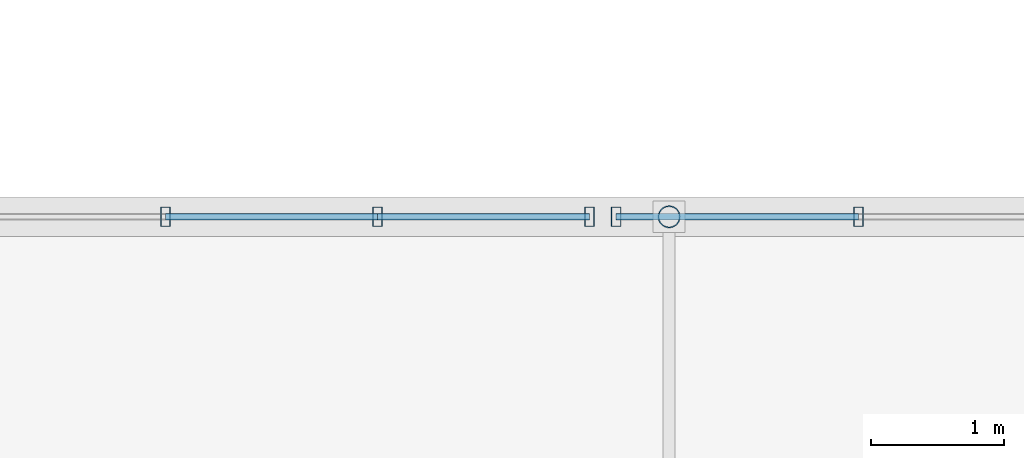
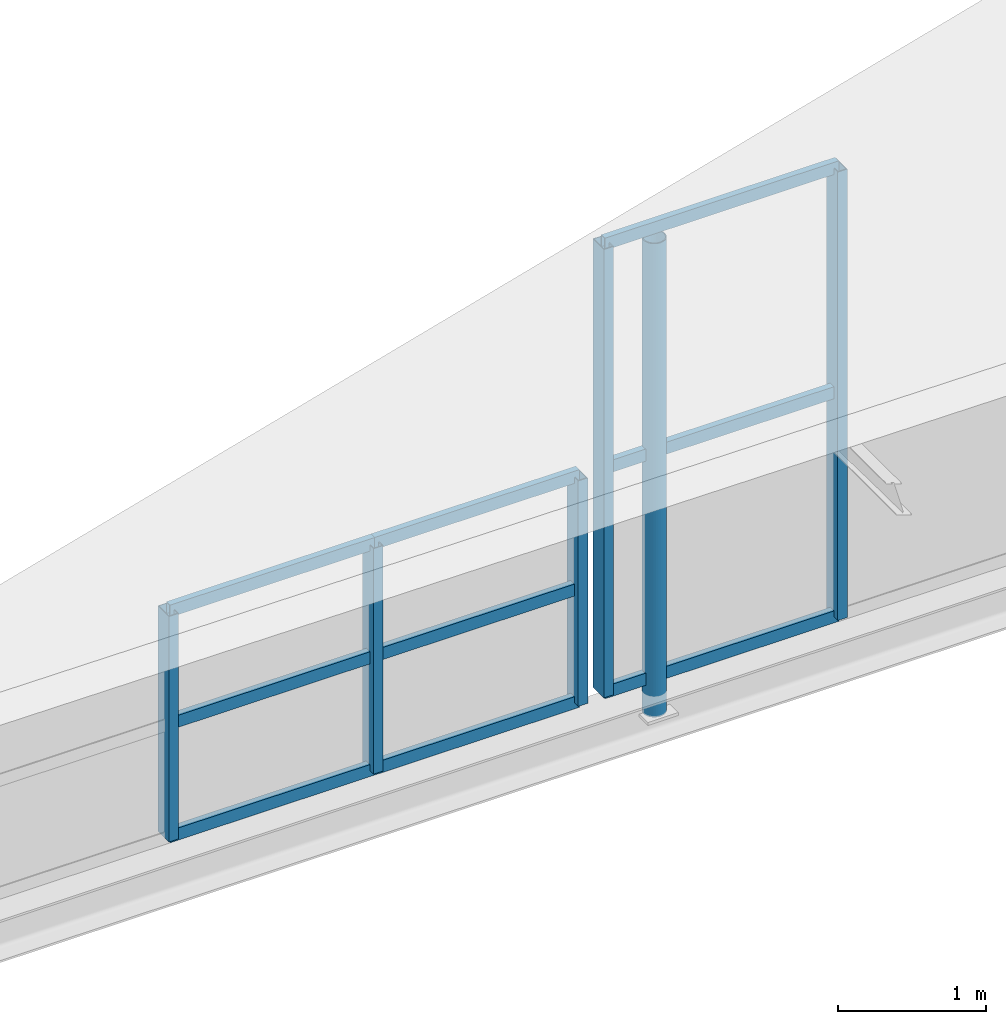
# One storey, part 28 of 49: 15 members, 2 elements without a shape of their own.
"""IFC4 building model written with IfcOpenShell, lengths in metres."""

from ifc_helpers import new_model, si_unit, direction, frame, origin, origin_2d, place, context, subcontext, project, spatial, hollow_rectangle, hollow_circle, extrude, material, material_profile, profile_set, type_object, element, aggregate, save


model = new_model("IFC4")

# Units and contexts
model_context = context("Model", 3, precision=1e-05, world=origin(), true_north=direction((0.0, 1.0)))
body_context = subcontext(model_context, "Body", "Model", "MODEL_VIEW")
ifc_project = project(units=[si_unit("LENGTHUNIT", "METRE"), si_unit("AREAUNIT", "SQUARE_METRE"), si_unit("VOLUMEUNIT", "CUBIC_METRE"), si_unit("PLANEANGLEUNIT", "RADIAN"), si_unit("MASSUNIT", "GRAM", prefix="KILO")], contexts=[model_context])

# Site, building, storey
site_placement = place(None, origin())
site = spatial("IfcSite", under=ifc_project, at=site_placement, CompositionType="ELEMENT")
building_placement = place(site_placement, origin())
building = spatial("IfcBuilding", under=site, at=building_placement, Name="Sundkrona Museum", CompositionType="ELEMENT")
storey_placement = place(building_placement, frame((0.0, 0.0, 26.0)))
storey = spatial("IfcBuildingStorey", under=building, at=storey_placement, Name="L05", CompositionType="ELEMENT", Elevation=26.0)

# Curtain wall, members
ifc_material_1 = material(Name="Unitised Aluminium-Steel and Ceramic-Clad Curtain Walling", Category="steel")
curtain_wall_type = type_object("IfcCurtainWallType", Name="CW-SW-240x13", PredefinedType="NOTDEFINED", material=ifc_material_1)
curtain_wall_1_placement = place(storey_placement, origin())
curtain_wall_1 = element("IfcCurtainWall", 1, at=curtain_wall_1_placement, inside=storey, type_object=curtain_wall_type, Name="Atrium N Glazed Gable Tympanum 2", PredefinedType="NOTDEFINED")
ifc_material_2 = material(Name="Aluminium EN AW-6060 T66", Category="aluminium")
ifc_material_profile_1 = material_profile(ifc_material_2, hollow_rectangle(XDim=0.074951171875, YDim=0.14990234375, WallThickness=0.00634765625, at=origin_2d()), Name="RHS 150x75x6.3")
ifc_profile_set_1 = profile_set([ifc_material_profile_1], Name="Aluminium EN AW-6060 T66")
member_type_1 = type_object("IfcMemberType", Name="ML-150", PredefinedType="MULLION", material=ifc_profile_set_1)
member_1_placement = place(storey_placement, frame((90.199951171875, 40.0, -0.10009765625), z_axis=(0.0, 0.0, 1.0), x_axis=(1.0, 0.0, 0.0)))
member_1 = element("IfcMember", 2, at=member_1_placement, type_object=member_type_1, Name="CW-ATR-GBL-N2 Mullion 03", PredefinedType="MULLION", context=body_context, shape_type="SweptSolid", body=[
    extrude(hollow_rectangle(XDim=0.074951171875, YDim=0.14990234375, WallThickness=0.00634765625, at=origin_2d()), origin(), (0.0, 0.0, 1.0), 1.864013671875),
])
member_2_placement = place(storey_placement, frame((91.800048828125, 40.0, -0.10009765625), z_axis=(0.0, 0.0, 1.0), x_axis=(1.0, 0.0, 0.0)))
member_2 = element("IfcMember", 3, at=member_2_placement, type_object=member_type_1, Name="CW-ATR-GBL-N2 Mullion 04", PredefinedType="MULLION", context=body_context, shape_type="SweptSolid", body=[
    extrude(hollow_rectangle(XDim=0.074951171875, YDim=0.14990234375, WallThickness=0.00634765625, at=origin_2d()), origin(), (0.0, 0.0, 1.0), 1.864013671875),
])
member_3_placement = place(storey_placement, frame((93.39990234375, 40.0, -0.10009765625), z_axis=(0.0, 0.0, 1.0), x_axis=(1.0, 0.0, 0.0)))
member_3 = element("IfcMember", 4, at=member_3_placement, type_object=member_type_1, Name="CW-ATR-GBL-N2 Mullion 05", PredefinedType="MULLION", context=body_context, shape_type="SweptSolid", body=[
    extrude(hollow_rectangle(XDim=0.074951171875, YDim=0.14990234375, WallThickness=0.00634765625, at=origin_2d()), origin(), (0.0, 0.0, 1.0), 1.864013671875),
])

curtain_wall_2_placement = place(storey_placement, origin())
curtain_wall_2 = element("IfcCurtainWall", 5, at=curtain_wall_2_placement, inside=storey, type_object=curtain_wall_type, Name="Atrium N Glazed Gable Tympanum 3", PredefinedType="NOTDEFINED")
member_4_placement = place(storey_placement, frame((93.60009765625, 40.0, -0.10009765625), z_axis=(0.0, 0.0, 1.0), x_axis=(1.0, 0.0, 0.0)))
member_4 = element("IfcMember", 6, at=member_4_placement, type_object=member_type_1, Name="CW-ATR-GBL-N3 Mullion 01", PredefinedType="MULLION", context=body_context, shape_type="SweptSolid", body=[
    extrude(hollow_rectangle(XDim=0.074951171875, YDim=0.14990234375, WallThickness=0.00634765625, at=origin_2d()), origin(), (0.0, 0.0, 1.0), 3.70703125),
])
member_5_placement = place(storey_placement, frame((95.4287109375, 40.0, -0.10009765625), z_axis=(0.0, 0.0, 1.0), x_axis=(1.0, 0.0, 0.0)))
member_5 = element("IfcMember", 7, at=member_5_placement, type_object=member_type_1, Name="CW-ATR-GBL-N3 Mullion 02", PredefinedType="MULLION", context=body_context, shape_type="SweptSolid", body=[
    extrude(hollow_rectangle(XDim=0.074951171875, YDim=0.14990234375, WallThickness=0.00634765625, at=origin_2d()), origin(), (0.0, 0.0, 1.0), 3.70703125),
])

# Member
ifc_material_3 = material(Name="Steel S355J2", Category="steel")
ifc_material_profile_2 = material_profile(ifc_material_3, hollow_circle(Radius=0.084228515625, WallThickness=0.008056640625, at=origin_2d()), Name="CHS 168.3x8.0")
ifc_profile_set_2 = profile_set([ifc_material_profile_2], Name="Steel S355J2")
member_type_2 = type_object("IfcMemberType", Name="ST-CHS168", PredefinedType="STRUT", material=ifc_profile_set_2)
member_6_placement = place(storey_placement, frame((94.0, 40.0, -0.39990234375), z_axis=(0.0, 0.0, 1.0), x_axis=(1.0, 0.0, 0.0)))
element("IfcMember", 8, at=member_6_placement, inside=storey, type_object=member_type_2, Name="RFS-1 Atrium Truss 6 Web Strut 94", PredefinedType="STRUT", context=body_context, shape_type="SweptSolid", body=[
    extrude(hollow_circle(Radius=0.084228515625, WallThickness=0.008056640625, at=origin_2d()), origin(), (0.0, 0.0, 1.0), 3.915771484375),
])

ifc_material_profile_3 = material_profile(ifc_material_2, hollow_rectangle(XDim=0.050048828125, YDim=0.10009765625, WallThickness=0.0048828125, at=origin_2d()), Name="RHS 100x50x5.0")
ifc_profile_set_3 = profile_set([ifc_material_profile_3], Name="Aluminium EN AW-6060 T66")
member_type_3 = type_object("IfcMemberType", Name="TR-100", PredefinedType="USERDEFINED", material=ifc_profile_set_3)
member_7_placement = place(storey_placement, frame((90.199951171875, 40.0, -0.10009765625), z_axis=(1.0, 0.0, 0.0), x_axis=(0.0, 1.0, 0.0)))
member_7 = element("IfcMember", 9, at=member_7_placement, type_object=member_type_3, Name="CW-ATR-GBL-N2 Transom 07", ObjectType="TRANSOM", PredefinedType="USERDEFINED", context=body_context, shape_type="SweptSolid", body=[
    extrude(hollow_rectangle(XDim=0.050048828125, YDim=0.10009765625, WallThickness=0.0048828125, at=origin_2d()), origin(), (0.0, 0.0, 1.0), 1.60009765625),
])

member_8_placement = place(storey_placement, frame((90.199951171875, 40.0, 0.83203125), z_axis=(1.0, 0.0, 0.0), x_axis=(0.0, 1.0, 0.0)))
member_8 = element("IfcMember", 10, at=member_8_placement, type_object=member_type_3, Name="CW-ATR-GBL-N2 Transom 08", ObjectType="TRANSOM", PredefinedType="USERDEFINED", context=body_context, shape_type="SweptSolid", body=[
    extrude(hollow_rectangle(XDim=0.050048828125, YDim=0.10009765625, WallThickness=0.0048828125, at=origin_2d()), origin(), (0.0, 0.0, 1.0), 1.60009765625),
])

member_9_placement = place(storey_placement, frame((90.199951171875, 40.0, 1.763916015625), z_axis=(1.0, 0.0, 0.0), x_axis=(0.0, 1.0, 0.0)))
member_9 = element("IfcMember", 11, at=member_9_placement, type_object=member_type_3, Name="CW-ATR-GBL-N2 Transom 09", ObjectType="TRANSOM", PredefinedType="USERDEFINED", context=body_context, shape_type="SweptSolid", body=[
    extrude(hollow_rectangle(XDim=0.050048828125, YDim=0.10009765625, WallThickness=0.0048828125, at=origin_2d()), origin(), (0.0, 0.0, 1.0), 1.60009765625),
])

member_10_placement = place(storey_placement, frame((91.800048828125, 40.0, -0.10009765625), z_axis=(1.0, 0.0, 0.0), x_axis=(0.0, 1.0, 0.0)))
member_10 = element("IfcMember", 12, at=member_10_placement, type_object=member_type_3, Name="CW-ATR-GBL-N2 Transom 10", ObjectType="TRANSOM", PredefinedType="USERDEFINED", context=body_context, shape_type="SweptSolid", body=[
    extrude(hollow_rectangle(XDim=0.050048828125, YDim=0.10009765625, WallThickness=0.0048828125, at=origin_2d()), origin(), (0.0, 0.0, 1.0), 1.599853515625),
])

member_11_placement = place(storey_placement, frame((91.800048828125, 40.0, 0.83203125), z_axis=(1.0, 0.0, 0.0), x_axis=(0.0, 1.0, 0.0)))
member_11 = element("IfcMember", 13, at=member_11_placement, type_object=member_type_3, Name="CW-ATR-GBL-N2 Transom 11", ObjectType="TRANSOM", PredefinedType="USERDEFINED", context=body_context, shape_type="SweptSolid", body=[
    extrude(hollow_rectangle(XDim=0.050048828125, YDim=0.10009765625, WallThickness=0.0048828125, at=origin_2d()), origin(), (0.0, 0.0, 1.0), 1.599853515625),
])

member_12_placement = place(storey_placement, frame((91.800048828125, 40.0, 1.763916015625), z_axis=(1.0, 0.0, 0.0), x_axis=(0.0, 1.0, 0.0)))
member_12 = element("IfcMember", 14, at=member_12_placement, type_object=member_type_3, Name="CW-ATR-GBL-N2 Transom 12", ObjectType="TRANSOM", PredefinedType="USERDEFINED", context=body_context, shape_type="SweptSolid", body=[
    extrude(hollow_rectangle(XDim=0.050048828125, YDim=0.10009765625, WallThickness=0.0048828125, at=origin_2d()), origin(), (0.0, 0.0, 1.0), 1.599853515625),
])

aggregate(curtain_wall_1, [member_1, member_2, member_3, member_7, member_8, member_9, member_10, member_11, member_12])

member_13_placement = place(storey_placement, frame((93.60009765625, 40.0, -0.10009765625), z_axis=(1.0, 0.0, 0.0), x_axis=(0.0, 1.0, 0.0)))
member_13 = element("IfcMember", 15, at=member_13_placement, type_object=member_type_3, Name="CW-ATR-GBL-N3 Transom 01", ObjectType="TRANSOM", PredefinedType="USERDEFINED", context=body_context, shape_type="SweptSolid", body=[
    extrude(hollow_rectangle(XDim=0.050048828125, YDim=0.10009765625, WallThickness=0.0048828125, at=origin_2d()), origin(), (0.0, 0.0, 1.0), 1.82861328125),
])

member_14_placement = place(storey_placement, frame((93.60009765625, 40.0, 1.7529296875), z_axis=(1.0, 0.0, 0.0), x_axis=(0.0, 1.0, 0.0)))
member_14 = element("IfcMember", 16, at=member_14_placement, type_object=member_type_3, Name="CW-ATR-GBL-N3 Transom 02", ObjectType="TRANSOM", PredefinedType="USERDEFINED", context=body_context, shape_type="SweptSolid", body=[
    extrude(hollow_rectangle(XDim=0.050048828125, YDim=0.10009765625, WallThickness=0.0048828125, at=origin_2d()), origin(), (0.0, 0.0, 1.0), 1.82861328125),
])

member_15_placement = place(storey_placement, frame((93.60009765625, 40.0, 3.60693359375), z_axis=(1.0, 0.0, 0.0), x_axis=(0.0, 1.0, 0.0)))
member_15 = element("IfcMember", 17, at=member_15_placement, type_object=member_type_3, Name="CW-ATR-GBL-N3 Transom 03", ObjectType="TRANSOM", PredefinedType="USERDEFINED", context=body_context, shape_type="SweptSolid", body=[
    extrude(hollow_rectangle(XDim=0.050048828125, YDim=0.10009765625, WallThickness=0.0048828125, at=origin_2d()), origin(), (0.0, 0.0, 1.0), 1.82861328125),
])

aggregate(curtain_wall_2, [member_4, member_5, member_13, member_14, member_15])

save(model, "model.ifc")
